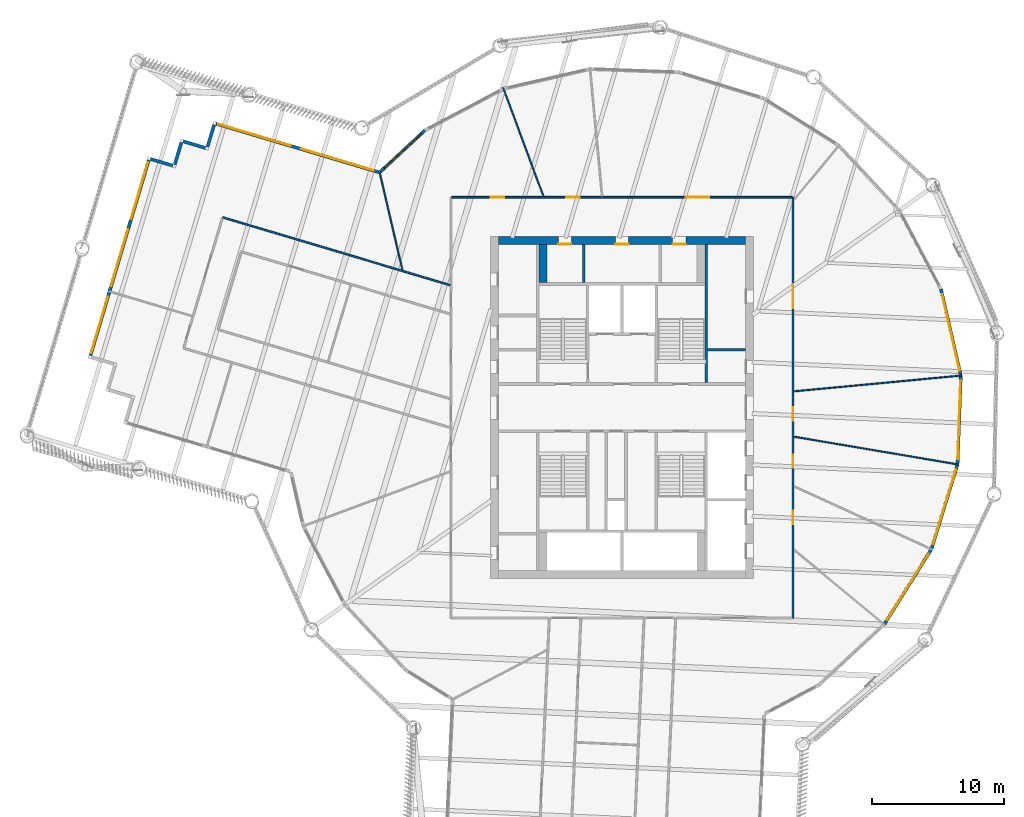
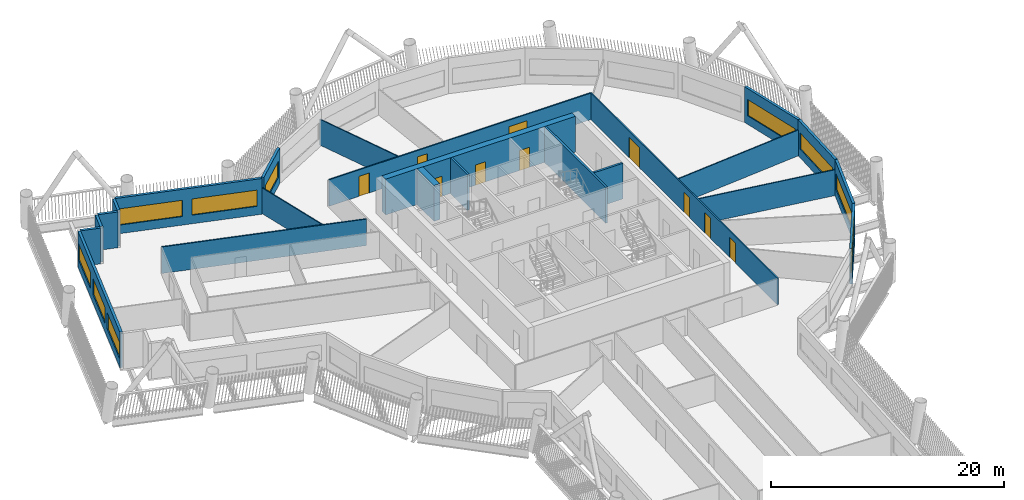
# One storey, part 6 of 24: 23 walls, 10 doors, 10 windows, 20 openings.
"""IFC4 building model written with IfcOpenShell, lengths in metres."""

from ifc_helpers import new_model, si_unit, direction, frame, frame_2d, origin, place, context, subcontext, project, spatial, rectangle, extrude, material, layer, layer_set, type_object, element, fill, save


model = new_model("IFC4")

# Units and contexts
model_context = context("Model", 3, precision=1e-05, world=origin(), true_north=direction((0.0, 1.0)))
body_context = subcontext(model_context, "Body", "Model", "MODEL_VIEW")
ifc_project = project(units=[si_unit("LENGTHUNIT", "METRE"), si_unit("AREAUNIT", "SQUARE_METRE"), si_unit("VOLUMEUNIT", "CUBIC_METRE"), si_unit("PLANEANGLEUNIT", "RADIAN"), si_unit("MASSUNIT", "GRAM", prefix="KILO")], contexts=[model_context])

# Site, building, storey
site_placement = place(None, origin())
site = spatial("IfcSite", under=ifc_project, at=site_placement, CompositionType="ELEMENT")
building_placement = place(site_placement, origin())
building = spatial("IfcBuilding", under=site, at=building_placement, Name="Tarsis Ring Headquarters", CompositionType="ELEMENT")
storey_placement = place(building_placement, frame((0.0, 0.0, 216.0)))
storey = spatial("IfcBuildingStorey", under=building, at=storey_placement, Name="L50", CompositionType="ELEMENT", Elevation=216.0)

# Walls
ifc_material_1 = material(Name="Blockwork", Category="masonry")
ifc_layer_1 = layer(ifc_material_1, 0.199951171875)
ifc_layer_set_1 = layer_set([ifc_layer_1], Name="Core blockwork wall 200")
wall_type_1 = type_object("IfcWallType", Name="Core blockwork wall 200", PredefinedType="PARTITIONING", material=ifc_layer_set_1)
for number, where, z_axis, x_axis, name in (
    (1, (6.5, 4.39990234375, 0.0), (0.0, 0.0, 1.0), (1.0, 0.0, 0.0), "Core partition ED5"),
    (2, (-2.89990234375, 9.5, 0.0), (0.0, 0.0, 1.0), (0.0, 1.0, 0.0), "Core partition ND1"),
):
    element("IfcWall", number, at=place(storey_placement, frame(where, z_axis=z_axis, x_axis=x_axis)), inside=storey, type_object=wall_type_1, Name=name, PredefinedType="PARTITIONING", context=body_context, shape_type="SweptSolid", body=[
        extrude(rectangle(XDim=2.89990234375, YDim=0.199951171875, at=frame_2d((1.449951171875, 0.0))), origin(), (0.0, 0.0, 1.0), 3.739990234375),
    ])

# Wall, openings, doors
ifc_material_2 = material(Name="Concrete C50/60", Category="concrete")
ifc_layer_2 = layer(ifc_material_2, 0.60009765625)
ifc_layer_set_2 = layer_set([ifc_layer_2], Name="Core wall 600 C50/60")
wall_type_2 = type_object("IfcWallType", Name="Core wall 600 C50/60", PredefinedType="SHEAR", material=ifc_layer_set_2)
wall_1_placement = place(storey_placement, frame((-9.39990234375, 12.699951171875, 0.0), z_axis=(0.0, 0.0, 1.0), x_axis=(1.0, 0.0, 0.0)))
wall_1 = element("IfcWall", 3, at=wall_1_placement, inside=storey, type_object=wall_type_2, Name="Core wall ON", PredefinedType="SHEAR", context=body_context, shape_type="SweptSolid", body=[
    extrude(rectangle(XDim=18.7998046875, YDim=0.60009765625, at=frame_2d((9.39990234375, 0.0))), origin(), (0.0, 0.0, 1.0), 3.739990234375),
])
opening_1_placement = place(wall_1_placement, frame((4.550048828125, 0.0, 0.0)))
opening_1 = element("IfcOpeningElement", 4, at=opening_1_placement, cuts=wall_1, Name="Opening L50-C14", PredefinedType="OPENING", context=body_context, shape_type="SweptSolid", body=[
    extrude(rectangle(XDim=1.0, YDim=2.10009765625, at=frame_2d((0.5, 1.050048828125))), frame((0.0, 0.31005859375, 0.0), z_axis=(0.0, -1.0, 0.0), x_axis=(1.0, 0.0, 0.0)), (0.0, 0.0, 1.0), 0.6201171875),
])
opening_2_placement = place(wall_1_placement, frame((8.89990234375, 0.0, 0.0)))
opening_2 = element("IfcOpeningElement", 5, at=opening_2_placement, cuts=wall_1, Name="Opening L50-C15", PredefinedType="OPENING", context=body_context, shape_type="SweptSolid", body=[
    extrude(rectangle(XDim=1.0, YDim=2.10009765625, at=frame_2d((0.5, 1.050048828125))), frame((0.0, 0.31005859375, 0.0), z_axis=(0.0, -1.0, 0.0), x_axis=(1.0, 0.0, 0.0)), (0.0, 0.0, 1.0), 0.6201171875),
])
opening_3_placement = place(wall_1_placement, frame((13.25, 0.0, 0.0)))
opening_3 = element("IfcOpeningElement", 6, at=opening_3_placement, cuts=wall_1, Name="Opening L50-C16", PredefinedType="OPENING", context=body_context, shape_type="SweptSolid", body=[
    extrude(rectangle(XDim=1.0, YDim=2.10009765625, at=frame_2d((0.5, 1.050048828125))), frame((0.0, 0.31005859375, 0.0), z_axis=(0.0, -1.0, 0.0), x_axis=(1.0, 0.0, 0.0)), (0.0, 0.0, 1.0), 0.6201171875),
])
ifc_material_3 = material(Name="Steel S355", Category="steel")
door_type_1 = type_object("IfcDoorType", Name="Core room door 1000x2100", OperationType="SINGLE_SWING_LEFT", PredefinedType="DOOR", material=ifc_material_3)
door_1_placement = place(opening_1_placement, origin())
door_1 = element("IfcDoor", 7, at=door_1_placement, inside=storey, type_object=door_type_1, Name="Core room door L50", OperationType="SINGLE_SWING_LEFT", OverallHeight=2.10009765625, OverallWidth=1.0, PredefinedType="DOOR", context=body_context, shape_type="SweptSolid", body=[
    extrude(rectangle(XDim=1.0, YDim=2.10009765625, at=frame_2d((0.5, 1.050048828125))), frame((0.0, -0.25, 0.0), z_axis=(0.0, -1.0, 0.0), x_axis=(1.0, 0.0, 0.0)), (0.0, 0.0, 1.0), 0.050048828125),
])
fill(opening_1, door_1)
door_2_placement = place(opening_2_placement, origin())
door_2 = element("IfcDoor", 8, at=door_2_placement, inside=storey, type_object=door_type_1, Name="Core room door L50", OperationType="SINGLE_SWING_LEFT", OverallHeight=2.10009765625, OverallWidth=1.0, PredefinedType="DOOR", context=body_context, shape_type="SweptSolid", body=[
    extrude(rectangle(XDim=1.0, YDim=2.10009765625, at=frame_2d((0.5, 1.050048828125))), frame((0.0, -0.25, 0.0), z_axis=(0.0, -1.0, 0.0), x_axis=(1.0, 0.0, 0.0)), (0.0, 0.0, 1.0), 0.050048828125),
])
fill(opening_2, door_2)
door_3_placement = place(opening_3_placement, origin())
door_3 = element("IfcDoor", 9, at=door_3_placement, inside=storey, type_object=door_type_1, Name="Core room door L50", OperationType="SINGLE_SWING_LEFT", OverallHeight=2.10009765625, OverallWidth=1.0, PredefinedType="DOOR", context=body_context, shape_type="SweptSolid", body=[
    extrude(rectangle(XDim=1.0, YDim=2.10009765625, at=frame_2d((0.5, 1.050048828125))), frame((0.0, -0.25, 0.0), z_axis=(0.0, -1.0, 0.0), x_axis=(1.0, 0.0, 0.0)), (0.0, 0.0, 1.0), 0.050048828125),
])
fill(opening_3, door_3)

# Walls
ifc_material_4 = material(Name="Gypsum board on steel studs", Category="steel")
ifc_layer_3 = layer(ifc_material_4, 0.10009765625)
ifc_layer_set_3 = layer_set([ifc_layer_3], Name="FL partition 100 unrated")
wall_type_3 = type_object("IfcWallType", Name="FL partition 100 unrated", PredefinedType="PARTITIONING", material=ifc_layer_set_3)
wall_2_placement = place(storey_placement, frame((13.069580078125, 1.235595703125, 0.0), z_axis=(0.0, 0.0, 1.0), x_axis=(0.995563259772, 0.09409461086, 0.0)))
element("IfcWall", 10, at=wall_2_placement, inside=storey, type_object=wall_type_3, Name="Partition PW3", PredefinedType="PARTITIONING", context=body_context, shape_type="SweptSolid", body=[
    extrude(rectangle(XDim=12.820068359375, YDim=0.10009765625, at=frame_2d((6.41015625, 0.0))), origin(), (0.0, 0.0, 1.0), 2.699951171875),
])
wall_3_placement = place(storey_placement, frame((13.069091796875, -2.21044921875, 0.0), z_axis=(0.0, 0.0, 1.0), x_axis=(0.985994415966, -0.166778330976, 0.0)))
element("IfcWall", 11, at=wall_3_placement, inside=storey, type_object=wall_type_3, Name="Partition PW3", PredefinedType="PARTITIONING", context=body_context, shape_type="SweptSolid", body=[
    extrude(rectangle(XDim=12.693115234375, YDim=0.10009765625, at=frame_2d((6.3466796875, 0.0))), origin(), (0.0, 0.0, 1.0), 2.699951171875),
])
wall_4_placement = place(storey_placement, frame((-9.044677734375, 24.3203125, 0.0), z_axis=(0.0, 0.0, 1.0), x_axis=(0.348570435467, -0.937282588934, 0.0)))
element("IfcWall", 12, at=wall_4_placement, inside=storey, type_object=wall_type_3, Name="Partition PW3", PredefinedType="PARTITIONING", context=body_context, shape_type="SweptSolid", body=[
    extrude(rectangle(XDim=8.797119140625, YDim=0.10009765625, at=frame_2d((4.3984375, 0.0))), origin(), (0.0, 0.0, 1.0), 2.699951171875),
])
wall_5_placement = place(storey_placement, frame((-18.445556640625, 17.9423828125, 0.0), z_axis=(0.0, 0.0, 1.0), x_axis=(0.2274893573, -0.97378056682, 0.0)))
element("IfcWall", 13, at=wall_5_placement, inside=storey, type_object=wall_type_3, Name="Partition PW3", PredefinedType="PARTITIONING", context=body_context, shape_type="SweptSolid", body=[
    extrude(rectangle(XDim=7.665771484375, YDim=0.10009765625, at=frame_2d((3.8330078125, 0.0))), origin(), (0.0, 0.0, 1.0), 2.699951171875),
])

# Wall, openings, doors
ifc_layer_4 = layer(ifc_material_4, 0.125)
ifc_layer_set_4 = layer_set([ifc_layer_4], Name="FL partition 125 EI 60 H2770")
wall_type_4 = type_object("IfcWallType", Name="FL partition 125 EI 60 H2770", PredefinedType="PARTITIONING", material=ifc_layer_set_4)
wall_6_placement = place(storey_placement, frame((13.0, -15.998046875, 0.0), z_axis=(0.0, 0.0, 1.0), x_axis=(0.0, 1.0, 0.0)))
wall_6 = element("IfcWall", 14, at=wall_6_placement, inside=storey, type_object=wall_type_4, Name="Partition PW1", PredefinedType="PARTITIONING", context=body_context, shape_type="SweptSolid", body=[
    extrude(rectangle(XDim=31.998046875, YDim=0.125, at=frame_2d((15.9990234375, 0.0))), origin(), (0.0, 0.0, 1.0), 2.77001953125),
])
opening_4_placement = place(wall_6_placement, frame((23.569580078125, 0.0, 0.0)))
opening_4 = element("IfcOpeningElement", 15, at=opening_4_placement, cuts=wall_6, Name="Opening D50.06", PredefinedType="OPENING", context=body_context, shape_type="SweptSolid", body=[
    extrude(rectangle(XDim=1.800048828125, YDim=2.10009765625, at=frame_2d((0.89990234375, 1.050048828125))), frame((0.0, 0.072509765625, 0.0), z_axis=(0.0, -1.0, 0.0), x_axis=(1.0, 0.0, 0.0)), (0.0, 0.0, 1.0), 0.14501953125),
])
opening_5_placement = place(wall_6_placement, frame((15.012939453125, 0.0, 0.0)))
opening_5 = element("IfcOpeningElement", 16, at=opening_5_placement, cuts=wall_6, Name="Opening D50.07", PredefinedType="OPENING", context=body_context, shape_type="SweptSolid", body=[
    extrude(rectangle(XDim=1.0, YDim=2.10009765625, at=frame_2d((0.5, 1.050048828125))), frame((0.0, 0.072509765625, 0.0), z_axis=(0.0, -1.0, 0.0), x_axis=(1.0, 0.0, 0.0)), (0.0, 0.0, 1.0), 0.14501953125),
])
opening_6_placement = place(wall_6_placement, frame((11.422607421875, 0.0, 0.0)))
opening_6 = element("IfcOpeningElement", 17, at=opening_6_placement, cuts=wall_6, Name="Opening D50.08", PredefinedType="OPENING", context=body_context, shape_type="SweptSolid", body=[
    extrude(rectangle(XDim=1.0, YDim=2.10009765625, at=frame_2d((0.5, 1.050048828125))), frame((0.0, 0.072509765625, 0.0), z_axis=(0.0, -1.0, 0.0), x_axis=(1.0, 0.0, 0.0)), (0.0, 0.0, 1.0), 0.14501953125),
])
opening_7_placement = place(wall_6_placement, frame((7.144775390625, 0.0, 0.0)))
opening_7 = element("IfcOpeningElement", 18, at=opening_7_placement, cuts=wall_6, Name="Opening D50.09", PredefinedType="OPENING", context=body_context, shape_type="SweptSolid", body=[
    extrude(rectangle(XDim=1.0, YDim=2.10009765625, at=frame_2d((0.5, 1.050048828125))), frame((0.0, 0.072509765625, 0.0), z_axis=(0.0, -1.0, 0.0), x_axis=(1.0, 0.0, 0.0)), (0.0, 0.0, 1.0), 0.14501953125),
])
ifc_material_5 = material(Name="Fire-rated timber door leaf in steel frame", Category="steel")
door_type_2 = type_object("IfcDoorType", Name="FL door FD60-1000", OperationType="NOTDEFINED", PredefinedType="DOOR", material=ifc_material_5)
door_4_placement = place(opening_5_placement, origin())
door_4 = element("IfcDoor", 19, at=door_4_placement, inside=storey, type_object=door_type_2, Name="Door D50.07", OperationType="SINGLE_SWING_LEFT", OverallHeight=2.10009765625, OverallWidth=1.0, PredefinedType="DOOR", context=body_context, shape_type="SweptSolid", body=[
    extrude(rectangle(XDim=1.0, YDim=2.10009765625, at=frame_2d((0.5, 1.050048828125))), frame((0.0, 0.02490234375, 0.0), z_axis=(0.0, -1.0, 0.0), x_axis=(1.0, 0.0, 0.0)), (0.0, 0.0, 1.0), 0.050048828125),
])
fill(opening_5, door_4)
door_5_placement = place(opening_6_placement, origin())
door_5 = element("IfcDoor", 20, at=door_5_placement, inside=storey, type_object=door_type_2, Name="Door D50.08", OperationType="SINGLE_SWING_RIGHT", OverallHeight=2.10009765625, OverallWidth=1.0, PredefinedType="DOOR", context=body_context, shape_type="SweptSolid", body=[
    extrude(rectangle(XDim=1.0, YDim=2.10009765625, at=frame_2d((0.5, 1.050048828125))), frame((0.0, 0.02490234375, 0.0), z_axis=(0.0, -1.0, 0.0), x_axis=(1.0, 0.0, 0.0)), (0.0, 0.0, 1.0), 0.050048828125),
])
fill(opening_6, door_5)
door_6_placement = place(opening_7_placement, origin())
door_6 = element("IfcDoor", 21, at=door_6_placement, inside=storey, type_object=door_type_2, Name="Door D50.09", OperationType="SINGLE_SWING_LEFT", OverallHeight=2.10009765625, OverallWidth=1.0, PredefinedType="DOOR", context=body_context, shape_type="SweptSolid", body=[
    extrude(rectangle(XDim=1.0, YDim=2.10009765625, at=frame_2d((0.5, 1.050048828125))), frame((0.0, 0.02490234375, 0.0), z_axis=(0.0, -1.0, 0.0), x_axis=(1.0, 0.0, 0.0)), (0.0, 0.0, 1.0), 0.050048828125),
])
fill(opening_7, door_6)
door_type_3 = type_object("IfcDoorType", Name="FL door FD60-1800", OperationType="DOUBLE_DOOR_SINGLE_SWING", PredefinedType="DOOR", material=ifc_material_5)
door_7_placement = place(opening_4_placement, origin())
door_7 = element("IfcDoor", 22, at=door_7_placement, inside=storey, type_object=door_type_3, Name="Door D50.06", OperationType="DOUBLE_DOOR_SINGLE_SWING", OverallHeight=2.10009765625, OverallWidth=1.800048828125, PredefinedType="DOOR", context=body_context, shape_type="SweptSolid", body=[
    extrude(rectangle(XDim=1.800048828125, YDim=2.10009765625, at=frame_2d((0.89990234375, 1.050048828125))), frame((0.0, 0.02490234375, 0.0), z_axis=(0.0, -1.0, 0.0), x_axis=(1.0, 0.0, 0.0)), (0.0, 0.0, 1.0), 0.050048828125),
])
fill(opening_4, door_7)

wall_7_placement = place(storey_placement, frame((-12.93994140625, 16.0, 0.0), z_axis=(0.0, 0.0, 1.0), x_axis=(1.0, 0.0, 0.0)))
wall_7 = element("IfcWall", 23, at=wall_7_placement, inside=storey, type_object=wall_type_4, Name="Partition PW1", PredefinedType="PARTITIONING", context=body_context, shape_type="SweptSolid", body=[
    extrude(rectangle(XDim=25.8798828125, YDim=0.125, at=frame_2d((12.93994140625, 0.0))), origin(), (0.0, 0.0, 1.0), 2.77001953125),
])
opening_8_placement = place(wall_7_placement, frame((2.96484375, 0.0, 0.0)))
opening_8 = element("IfcOpeningElement", 24, at=opening_8_placement, cuts=wall_7, Name="Opening D50.03", PredefinedType="OPENING", context=body_context, shape_type="SweptSolid", body=[
    extrude(rectangle(XDim=1.0, YDim=2.10009765625, at=frame_2d((0.5, 1.050048828125))), frame((0.0, 0.072509765625, 0.0), z_axis=(0.0, -1.0, 0.0), x_axis=(1.0, 0.0, 0.0)), (0.0, 0.0, 1.0), 0.14501953125),
])
opening_9_placement = place(wall_7_placement, frame((8.70849609375, 0.0, 0.0)))
opening_9 = element("IfcOpeningElement", 25, at=opening_9_placement, cuts=wall_7, Name="Opening D50.04", PredefinedType="OPENING", context=body_context, shape_type="SweptSolid", body=[
    extrude(rectangle(XDim=1.0, YDim=2.10009765625, at=frame_2d((0.5, 1.050048828125))), frame((0.0, 0.072509765625, 0.0), z_axis=(0.0, -1.0, 0.0), x_axis=(1.0, 0.0, 0.0)), (0.0, 0.0, 1.0), 0.14501953125),
])
opening_10_placement = place(wall_7_placement, frame((17.78369140625, 0.0, 0.0)))
opening_10 = element("IfcOpeningElement", 26, at=opening_10_placement, cuts=wall_7, Name="Opening D50.05", PredefinedType="OPENING", context=body_context, shape_type="SweptSolid", body=[
    extrude(rectangle(XDim=1.800048828125, YDim=2.10009765625, at=frame_2d((0.89990234375, 1.050048828125))), frame((0.0, 0.072509765625, 0.0), z_axis=(0.0, -1.0, 0.0), x_axis=(1.0, 0.0, 0.0)), (0.0, 0.0, 1.0), 0.14501953125),
])
door_8_placement = place(opening_8_placement, origin())
door_8 = element("IfcDoor", 27, at=door_8_placement, inside=storey, type_object=door_type_2, Name="Door D50.03", OperationType="SINGLE_SWING_LEFT", OverallHeight=2.10009765625, OverallWidth=1.0, PredefinedType="DOOR", context=body_context, shape_type="SweptSolid", body=[
    extrude(rectangle(XDim=1.0, YDim=2.10009765625, at=frame_2d((0.5, 1.050048828125))), frame((0.0, 0.02490234375, 0.0), z_axis=(0.0, -1.0, 0.0), x_axis=(1.0, 0.0, 0.0)), (0.0, 0.0, 1.0), 0.050048828125),
])
fill(opening_8, door_8)
door_9_placement = place(opening_9_placement, origin())
door_9 = element("IfcDoor", 28, at=door_9_placement, inside=storey, type_object=door_type_2, Name="Door D50.04", OperationType="SINGLE_SWING_RIGHT", OverallHeight=2.10009765625, OverallWidth=1.0, PredefinedType="DOOR", context=body_context, shape_type="SweptSolid", body=[
    extrude(rectangle(XDim=1.0, YDim=2.10009765625, at=frame_2d((0.5, 1.050048828125))), frame((0.0, 0.02490234375, 0.0), z_axis=(0.0, -1.0, 0.0), x_axis=(1.0, 0.0, 0.0)), (0.0, 0.0, 1.0), 0.050048828125),
])
fill(opening_9, door_9)
door_10_placement = place(opening_10_placement, origin())
door_10 = element("IfcDoor", 29, at=door_10_placement, inside=storey, type_object=door_type_3, Name="Door D50.05", OperationType="DOUBLE_DOOR_SINGLE_SWING", OverallHeight=2.10009765625, OverallWidth=1.800048828125, PredefinedType="DOOR", context=body_context, shape_type="SweptSolid", body=[
    extrude(rectangle(XDim=1.800048828125, YDim=2.10009765625, at=frame_2d((0.89990234375, 1.050048828125))), frame((0.0, 0.02490234375, 0.0), z_axis=(0.0, -1.0, 0.0), x_axis=(1.0, 0.0, 0.0)), (0.0, 0.0, 1.0), 0.050048828125),
])
fill(opening_10, door_10)

# Wall
wall_8_placement = place(storey_placement, frame((-30.371826171875, 14.469970703125, 0.0), z_axis=(0.0, 0.0, 1.0), x_axis=(0.958321164543, -0.285693096851, 0.0)))
element("IfcWall", 30, at=wall_8_placement, inside=storey, type_object=wall_type_4, Name="Partition PW1", PredefinedType="PARTITIONING", context=body_context, shape_type="SweptSolid", body=[
    extrude(rectangle(XDim=18.04736328125, YDim=0.125, at=frame_2d((9.023681640625, 0.0))), origin(), (0.0, 0.0, 1.0), 2.77001953125),
])

# Wall, opening, window
ifc_material_6 = material(Name="Terracotta clad insulated panel wall", Category="masonry")
ifc_layer_5 = layer(ifc_material_6, 0.25)
ifc_layer_set_5 = layer_set([ifc_layer_5], Name="Facade wall terracotta panel 250")
wall_type_5 = type_object("IfcWallType", Name="Facade wall terracotta panel 250", PredefinedType="STANDARD", material=ifc_layer_set_5)
wall_9_placement = place(storey_placement, frame((19.94482421875, -16.478759765625, 0.0), z_axis=(0.0, 0.0, 1.0), x_axis=(0.531411864014, 0.847113587888, 0.0)))
wall_9 = element("IfcWall", 31, at=wall_9_placement, inside=storey, type_object=wall_type_5, Name="External wall L50-19", PredefinedType="STANDARD", context=body_context, shape_type="SweptSolid", body=[
    extrude(rectangle(XDim=6.7216796875, YDim=0.25, at=frame_2d((3.36083984375, 0.0))), origin(), (0.0, 0.0, 1.0), 3.739990234375),
])
opening_11_placement = place(wall_9_placement, frame((0.3857421875, 0.0, 0.89990234375)))
opening_11 = element("IfcOpeningElement", 32, at=opening_11_placement, cuts=wall_9, Name="Opening WN07", PredefinedType="OPENING", context=body_context, shape_type="SweptSolid", body=[
    extrude(rectangle(XDim=5.949951171875, YDim=1.699951171875, at=frame_2d((2.97509765625, 0.85009765625))), frame((0.0, 0.135009765625, 0.0), z_axis=(0.0, -1.0, 0.0), x_axis=(1.0, 0.0, 0.0)), (0.0, 0.0, 1.0), 0.27001953125),
])
ifc_material_7 = material(Name="Aluminium framed double glazing", Category="aluminium")
window_type_1 = type_object("IfcWindowType", Name="Facade window 5950 x 1700", PartitioningType="SINGLE_PANEL", PredefinedType="WINDOW", material=ifc_material_7)
window_1_placement = place(opening_11_placement, origin())
window_1 = element("IfcWindow", 33, at=window_1_placement, inside=storey, type_object=window_type_1, Name="Window L50-19.1", OverallHeight=1.699951171875, OverallWidth=5.949951171875, PartitioningType="SINGLE_PANEL", PredefinedType="WINDOW", context=body_context, shape_type="SweptSolid", body=[
    extrude(rectangle(XDim=5.949951171875, YDim=1.699951171875, at=frame_2d((2.97509765625, 0.85009765625))), frame((0.0, 0.030029296875, 0.0), z_axis=(0.0, -1.0, 0.0), x_axis=(1.0, 0.0, 0.0)), (0.0, 0.0, 1.0), 0.06005859375),
])
fill(opening_11, window_1)

wall_10_placement = place(storey_placement, frame((23.5302734375, -10.755126953125, 0.0), z_axis=(0.0, 0.0, 1.0), x_axis=(0.294065429742, 0.955785291282, 0.0)))
wall_10 = element("IfcWall", 34, at=wall_10_placement, inside=storey, type_object=wall_type_5, Name="External wall L50-20", PredefinedType="STANDARD", context=body_context, shape_type="SweptSolid", body=[
    extrude(rectangle(XDim=6.721435546875, YDim=0.25, at=frame_2d((3.36083984375, 0.0))), origin(), (0.0, 0.0, 1.0), 3.739990234375),
])
opening_12_placement = place(wall_10_placement, frame((0.3857421875, 0.0, 0.89990234375)))
opening_12 = element("IfcOpeningElement", 35, at=opening_12_placement, cuts=wall_10, Name="Opening WN07", PredefinedType="OPENING", context=body_context, shape_type="SweptSolid", body=[
    extrude(rectangle(XDim=5.949951171875, YDim=1.699951171875, at=frame_2d((2.97509765625, 0.85009765625))), frame((0.0, 0.135009765625, 0.0), z_axis=(0.0, -1.0, 0.0), x_axis=(1.0, 0.0, 0.0)), (0.0, 0.0, 1.0), 0.27001953125),
])
window_2_placement = place(opening_12_placement, origin())
window_2 = element("IfcWindow", 36, at=window_2_placement, inside=storey, type_object=window_type_1, Name="Window L50-20.1", OverallHeight=1.699951171875, OverallWidth=5.949951171875, PartitioningType="SINGLE_PANEL", PredefinedType="WINDOW", context=body_context, shape_type="SweptSolid", body=[
    extrude(rectangle(XDim=5.949951171875, YDim=1.699951171875, at=frame_2d((2.97509765625, 0.85009765625))), frame((0.0, 0.030029296875, 0.0), z_axis=(0.0, -1.0, 0.0), x_axis=(1.0, 0.0, 0.0)), (0.0, 0.0, 1.0), 0.06005859375),
])
fill(opening_12, window_2)

wall_11_placement = place(storey_placement, frame((25.51220703125, -4.298583984375, 0.0), z_axis=(0.0, 0.0, 1.0), x_axis=(0.036648935265, 0.999328202116, 0.0)))
wall_11 = element("IfcWall", 37, at=wall_11_placement, inside=storey, type_object=wall_type_5, Name="External wall L50-21", PredefinedType="STANDARD", context=body_context, shape_type="SweptSolid", body=[
    extrude(rectangle(XDim=6.721435546875, YDim=0.25, at=frame_2d((3.36083984375, 0.0))), origin(), (0.0, 0.0, 1.0), 3.739990234375),
])
opening_13_placement = place(wall_11_placement, frame((0.3857421875, 0.0, 0.89990234375)))
opening_13 = element("IfcOpeningElement", 38, at=opening_13_placement, cuts=wall_11, Name="Opening WN07", PredefinedType="OPENING", context=body_context, shape_type="SweptSolid", body=[
    extrude(rectangle(XDim=5.949951171875, YDim=1.699951171875, at=frame_2d((2.97509765625, 0.85009765625))), frame((0.0, 0.135009765625, 0.0), z_axis=(0.0, -1.0, 0.0), x_axis=(1.0, 0.0, 0.0)), (0.0, 0.0, 1.0), 0.27001953125),
])
window_3_placement = place(opening_13_placement, origin())
window_3 = element("IfcWindow", 39, at=window_3_placement, inside=storey, type_object=window_type_1, Name="Window L50-21.1", OverallHeight=1.699951171875, OverallWidth=5.949951171875, PartitioningType="SINGLE_PANEL", PredefinedType="WINDOW", context=body_context, shape_type="SweptSolid", body=[
    extrude(rectangle(XDim=5.949951171875, YDim=1.699951171875, at=frame_2d((2.97509765625, 0.85009765625))), frame((0.0, 0.030029296875, 0.0), z_axis=(0.0, -1.0, 0.0), x_axis=(1.0, 0.0, 0.0)), (0.0, 0.0, 1.0), 0.06005859375),
])
fill(opening_13, window_3)

wall_12_placement = place(storey_placement, frame((25.75537109375, 2.450927734375, 0.0), z_axis=(0.0, 0.0, 1.0), x_axis=(-0.223233083924, 0.974765094903, 0.0)))
wall_12 = element("IfcWall", 40, at=wall_12_placement, inside=storey, type_object=wall_type_5, Name="External wall L50-22", PredefinedType="STANDARD", context=body_context, shape_type="SweptSolid", body=[
    extrude(rectangle(XDim=6.7216796875, YDim=0.25, at=frame_2d((3.36083984375, 0.0))), origin(), (0.0, 0.0, 1.0), 3.739990234375),
])
opening_14_placement = place(wall_12_placement, frame((0.3857421875, 0.0, 0.89990234375)))
opening_14 = element("IfcOpeningElement", 41, at=opening_14_placement, cuts=wall_12, Name="Opening WN07", PredefinedType="OPENING", context=body_context, shape_type="SweptSolid", body=[
    extrude(rectangle(XDim=5.949951171875, YDim=1.699951171875, at=frame_2d((2.97509765625, 0.85009765625))), frame((0.0, 0.135009765625, 0.0), z_axis=(0.0, -1.0, 0.0), x_axis=(1.0, 0.0, 0.0)), (0.0, 0.0, 1.0), 0.27001953125),
])
window_4_placement = place(opening_14_placement, origin())
window_4 = element("IfcWindow", 42, at=window_4_placement, inside=storey, type_object=window_type_1, Name="Window L50-22.1", OverallHeight=1.699951171875, OverallWidth=5.949951171875, PartitioningType="SINGLE_PANEL", PredefinedType="WINDOW", context=body_context, shape_type="SweptSolid", body=[
    extrude(rectangle(XDim=5.949951171875, YDim=1.699951171875, at=frame_2d((2.97509765625, 0.85009765625))), frame((0.0, 0.030029296875, 0.0), z_axis=(0.0, -1.0, 0.0), x_axis=(1.0, 0.0, 0.0)), (0.0, 0.0, 1.0), 0.06005859375),
])
fill(opening_14, window_4)

wall_13_placement = place(storey_placement, frame((-15.000244140625, 21.079345703125, 0.0), z_axis=(0.0, 0.0, 1.0), x_axis=(-0.732537356408, -0.680726833221, 0.0)))
wall_13 = element("IfcWall", 43, at=wall_13_placement, inside=storey, type_object=wall_type_5, Name="External wall L50-30", PredefinedType="STANDARD", context=body_context, shape_type="SweptSolid", body=[
    extrude(rectangle(XDim=4.617919921875, YDim=0.25, at=frame_2d((2.30908203125, 0.0))), origin(), (0.0, 0.0, 1.0), 3.739990234375),
])
opening_15_placement = place(wall_13_placement, frame((0.367431640625, 0.0, 0.89990234375)))
opening_15 = element("IfcOpeningElement", 44, at=opening_15_placement, cuts=wall_13, Name="Opening WN02", PredefinedType="OPENING", context=body_context, shape_type="SweptSolid", body=[
    extrude(rectangle(XDim=3.85009765625, YDim=1.699951171875, at=frame_2d((1.925048828125, 0.85009765625))), frame((0.0, 0.135009765625, 0.0), z_axis=(0.0, -1.0, 0.0), x_axis=(1.0, 0.0, 0.0)), (0.0, 0.0, 1.0), 0.27001953125),
])
window_type_2 = type_object("IfcWindowType", Name="Facade window 3850 x 1700", PartitioningType="SINGLE_PANEL", PredefinedType="WINDOW", material=ifc_material_7)
window_5_placement = place(opening_15_placement, origin())
window_5 = element("IfcWindow", 45, at=window_5_placement, inside=storey, type_object=window_type_2, Name="Window L50-30.1", OverallHeight=1.699951171875, OverallWidth=3.85009765625, PartitioningType="SINGLE_PANEL", PredefinedType="WINDOW", context=body_context, shape_type="SweptSolid", body=[
    extrude(rectangle(XDim=3.85009765625, YDim=1.699951171875, at=frame_2d((1.925048828125, 0.85009765625))), frame((0.0, 0.030029296875, 0.0), z_axis=(0.0, -1.0, 0.0), x_axis=(1.0, 0.0, 0.0)), (0.0, 0.0, 1.0), 0.06005859375),
])
fill(opening_15, window_5)

# Wall, openings, windows
wall_14_placement = place(storey_placement, frame((-18.50390625, 17.90771484375, 0.0), z_axis=(0.0, 0.0, 1.0), x_axis=(-0.958321215885, 0.285692924631, 0.0)))
wall_14 = element("IfcWall", 46, at=wall_14_placement, inside=storey, type_object=wall_type_5, Name="External wall L50-31", PredefinedType="STANDARD", context=body_context, shape_type="SweptSolid", body=[
    extrude(rectangle(XDim=12.901123046875, YDim=0.25, at=frame_2d((6.45068359375, 0.0))), origin(), (0.0, 0.0, 1.0), 3.739990234375),
])
opening_16_placement = place(wall_14_placement, frame((0.412841796875, 0.0, 0.89990234375)))
opening_16 = element("IfcOpeningElement", 47, at=opening_16_placement, cuts=wall_14, Name="Opening WN06", PredefinedType="OPENING", context=body_context, shape_type="SweptSolid", body=[
    extrude(rectangle(XDim=5.75, YDim=1.699951171875, at=frame_2d((2.875, 0.85009765625))), frame((0.0, 0.135009765625, 0.0), z_axis=(0.0, -1.0, 0.0), x_axis=(1.0, 0.0, 0.0)), (0.0, 0.0, 1.0), 0.27001953125),
])
opening_17_placement = place(wall_14_placement, frame((6.988525390625, 0.0, 0.89990234375)))
opening_17 = element("IfcOpeningElement", 48, at=opening_17_placement, cuts=wall_14, Name="Opening WN06", PredefinedType="OPENING", context=body_context, shape_type="SweptSolid", body=[
    extrude(rectangle(XDim=5.75, YDim=1.699951171875, at=frame_2d((2.875, 0.85009765625))), frame((0.0, 0.135009765625, 0.0), z_axis=(0.0, -1.0, 0.0), x_axis=(1.0, 0.0, 0.0)), (0.0, 0.0, 1.0), 0.27001953125),
])
window_type_3 = type_object("IfcWindowType", Name="Facade window 5750 x 1700", PartitioningType="SINGLE_PANEL", PredefinedType="WINDOW", material=ifc_material_7)
window_6_placement = place(opening_16_placement, origin())
window_6 = element("IfcWindow", 49, at=window_6_placement, inside=storey, type_object=window_type_3, Name="Window L50-31.1", OverallHeight=1.699951171875, OverallWidth=5.75, PartitioningType="SINGLE_PANEL", PredefinedType="WINDOW", context=body_context, shape_type="SweptSolid", body=[
    extrude(rectangle(XDim=5.75, YDim=1.699951171875, at=frame_2d((2.875, 0.85009765625))), frame((0.0, 0.030029296875, 0.0), z_axis=(0.0, -1.0, 0.0), x_axis=(1.0, 0.0, 0.0)), (0.0, 0.0, 1.0), 0.06005859375),
])
fill(opening_16, window_6)
window_7_placement = place(opening_17_placement, origin())
window_7 = element("IfcWindow", 50, at=window_7_placement, inside=storey, type_object=window_type_3, Name="Window L50-31.2", OverallHeight=1.699951171875, OverallWidth=5.75, PartitioningType="SINGLE_PANEL", PredefinedType="WINDOW", context=body_context, shape_type="SweptSolid", body=[
    extrude(rectangle(XDim=5.75, YDim=1.699951171875, at=frame_2d((2.875, 0.85009765625))), frame((0.0, 0.030029296875, 0.0), z_axis=(0.0, -1.0, 0.0), x_axis=(1.0, 0.0, 0.0)), (0.0, 0.0, 1.0), 0.06005859375),
])
fill(opening_17, window_7)

# Walls
for number, where, z_axis, x_axis, name in (
    (51, (-31.02294921875, 21.50927734375, 0.0), (0.0, 0.0, 1.0), (-0.285721957124, -0.958312560294, 0.0), "External wall L50-32"),
    (52, (-31.678466796875, 19.748291015625, 0.0), (0.0, 0.0, 1.0), (-0.958312560294, 0.285721957124, 0.0), "External wall L50-33"),
    (53, (-33.510986328125, 20.1640625, 0.0), (0.0, 0.0, 1.0), (-0.285721957124, -0.958312560294, 0.0), "External wall L50-34"),
    (54, (-34.16650390625, 18.40283203125, 0.0), (0.0, 0.0, 1.0), (-0.958312560294, 0.285721957124, 0.0), "External wall L50-35"),
):
    element("IfcWall", number, at=place(storey_placement, frame(where, z_axis=z_axis, x_axis=x_axis)), inside=storey, type_object=wall_type_5, Name=name, PredefinedType="STANDARD", context=body_context, shape_type="SweptSolid", body=[
        extrude(rectangle(XDim=1.75, YDim=0.25, at=frame_2d((0.875, 0.0))), origin(), (0.0, 0.0, 1.0), 3.739990234375),
    ])

# Wall, openings, windows
wall_15_placement = place(storey_placement, frame((-35.9990234375, 18.81884765625, 0.0), z_axis=(0.0, 0.0, 1.0), x_axis=(-0.285691434702, -0.958321660059, 0.0)))
wall_15 = element("IfcWall", 55, at=wall_15_placement, inside=storey, type_object=wall_type_5, Name="External wall L50-36", PredefinedType="STANDARD", context=body_context, shape_type="SweptSolid", body=[
    extrude(rectangle(XDim=15.5, YDim=0.25, at=frame_2d((7.75, 0.0))), origin(), (0.0, 0.0, 1.0), 3.739990234375),
])
opening_18_placement = place(wall_15_placement, frame((0.166748046875, 0.0, 0.89990234375)))
opening_18 = element("IfcOpeningElement", 56, at=opening_18_placement, cuts=wall_15, Name="Opening WN04", PredefinedType="OPENING", context=body_context, shape_type="SweptSolid", body=[
    extrude(rectangle(XDim=4.5, YDim=1.699951171875, at=frame_2d((2.25, 0.85009765625))), frame((0.0, 0.135009765625, 0.0), z_axis=(0.0, -1.0, 0.0), x_axis=(1.0, 0.0, 0.0)), (0.0, 0.0, 1.0), 0.27001953125),
])
opening_19_placement = place(wall_15_placement, frame((5.5, 0.0, 0.89990234375)))
opening_19 = element("IfcOpeningElement", 57, at=opening_19_placement, cuts=wall_15, Name="Opening WN04", PredefinedType="OPENING", context=body_context, shape_type="SweptSolid", body=[
    extrude(rectangle(XDim=4.5, YDim=1.699951171875, at=frame_2d((2.25, 0.85009765625))), frame((0.0, 0.135009765625, 0.0), z_axis=(0.0, -1.0, 0.0), x_axis=(1.0, 0.0, 0.0)), (0.0, 0.0, 1.0), 0.27001953125),
])
opening_20_placement = place(wall_15_placement, frame((10.833251953125, 0.0, 0.89990234375)))
opening_20 = element("IfcOpeningElement", 58, at=opening_20_placement, cuts=wall_15, Name="Opening WN04", PredefinedType="OPENING", context=body_context, shape_type="SweptSolid", body=[
    extrude(rectangle(XDim=4.5, YDim=1.699951171875, at=frame_2d((2.25, 0.85009765625))), frame((0.0, 0.135009765625, 0.0), z_axis=(0.0, -1.0, 0.0), x_axis=(1.0, 0.0, 0.0)), (0.0, 0.0, 1.0), 0.27001953125),
])
window_type_4 = type_object("IfcWindowType", Name="Facade window 4500 x 1700", PartitioningType="SINGLE_PANEL", PredefinedType="WINDOW", material=ifc_material_7)
window_8_placement = place(opening_18_placement, origin())
window_8 = element("IfcWindow", 59, at=window_8_placement, inside=storey, type_object=window_type_4, Name="Window L50-36.1", OverallHeight=1.699951171875, OverallWidth=4.5, PartitioningType="SINGLE_PANEL", PredefinedType="WINDOW", context=body_context, shape_type="SweptSolid", body=[
    extrude(rectangle(XDim=4.5, YDim=1.699951171875, at=frame_2d((2.25, 0.85009765625))), frame((0.0, 0.030029296875, 0.0), z_axis=(0.0, -1.0, 0.0), x_axis=(1.0, 0.0, 0.0)), (0.0, 0.0, 1.0), 0.06005859375),
])
fill(opening_18, window_8)
window_9_placement = place(opening_19_placement, origin())
window_9 = element("IfcWindow", 60, at=window_9_placement, inside=storey, type_object=window_type_4, Name="Window L50-36.2", OverallHeight=1.699951171875, OverallWidth=4.5, PartitioningType="SINGLE_PANEL", PredefinedType="WINDOW", context=body_context, shape_type="SweptSolid", body=[
    extrude(rectangle(XDim=4.5, YDim=1.699951171875, at=frame_2d((2.25, 0.85009765625))), frame((0.0, 0.030029296875, 0.0), z_axis=(0.0, -1.0, 0.0), x_axis=(1.0, 0.0, 0.0)), (0.0, 0.0, 1.0), 0.06005859375),
])
fill(opening_19, window_9)
window_10_placement = place(opening_20_placement, origin())
window_10 = element("IfcWindow", 61, at=window_10_placement, inside=storey, type_object=window_type_4, Name="Window L50-36.3", OverallHeight=1.699951171875, OverallWidth=4.5, PartitioningType="SINGLE_PANEL", PredefinedType="WINDOW", context=body_context, shape_type="SweptSolid", body=[
    extrude(rectangle(XDim=4.5, YDim=1.699951171875, at=frame_2d((2.25, 0.85009765625))), frame((0.0, 0.030029296875, 0.0), z_axis=(0.0, -1.0, 0.0), x_axis=(1.0, 0.0, 0.0)), (0.0, 0.0, 1.0), 0.06005859375),
])
fill(opening_20, window_10)

# Walls
ifc_material_8 = material(Name="Concrete C32/40", Category="concrete")
ifc_layer_6 = layer(ifc_material_8, 0.60009765625)
ifc_layer_set_6 = layer_set([ifc_layer_6], Name="Shaft end wall 600 C32/40")
wall_type_6 = type_object("IfcWallType", Name="Shaft end wall 600 C32/40", PredefinedType="SOLIDWALL", material=ifc_layer_set_6)
wall_16_placement = place(storey_placement, frame((-6.0, 9.5, 0.0), z_axis=(0.0, 0.0, 1.0), x_axis=(0.0, 1.0, 0.0)))
element("IfcWall", 62, at=wall_16_placement, inside=storey, type_object=wall_type_6, Name="Core shaft wall NNE1", PredefinedType="SOLIDWALL", context=body_context, shape_type="SweptSolid", body=[
    extrude(rectangle(XDim=2.89990234375, YDim=0.60009765625, at=frame_2d((1.449951171875, 0.0))), origin(), (0.0, 0.0, 1.0), 3.739990234375),
])
ifc_layer_7 = layer(ifc_material_8, 0.199951171875)
ifc_layer_set_7 = layer_set([ifc_layer_7], Name="Shaft wall 200 C32/40")
wall_type_7 = type_object("IfcWallType", Name="Shaft wall 200 C32/40", PredefinedType="SOLIDWALL", material=ifc_layer_set_7)
wall_17_placement = place(storey_placement, frame((6.39990234375, 1.89990234375, 0.0), z_axis=(0.0, 0.0, 1.0), x_axis=(0.0, 1.0, 0.0)))
element("IfcWall", 63, at=wall_17_placement, inside=storey, type_object=wall_type_7, Name="Core shaft wall EB2", PredefinedType="SOLIDWALL", context=body_context, shape_type="SweptSolid", body=[
    extrude(rectangle(XDim=10.5, YDim=0.199951171875, at=frame_2d((5.25, 0.0))), origin(), (0.0, 0.0, 1.0), 3.739990234375),
])

save(model, "model.ifc")
